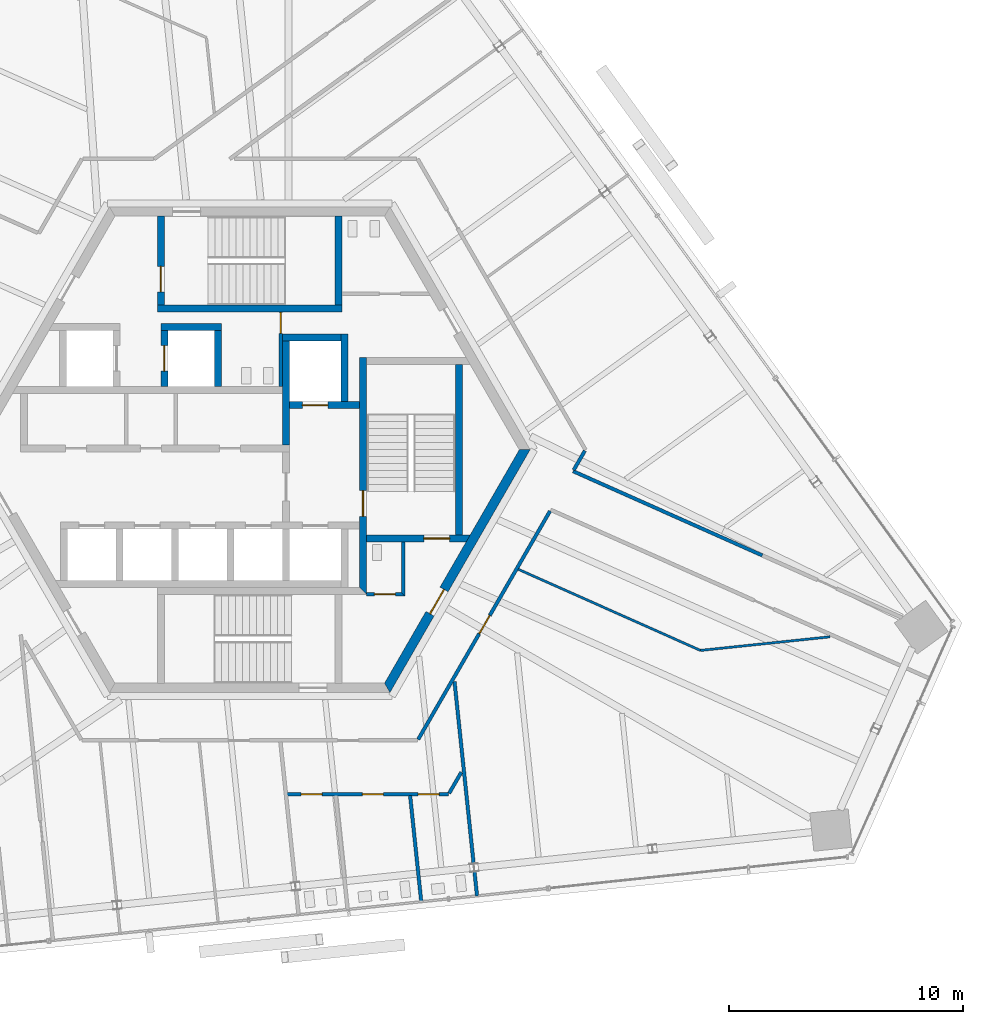
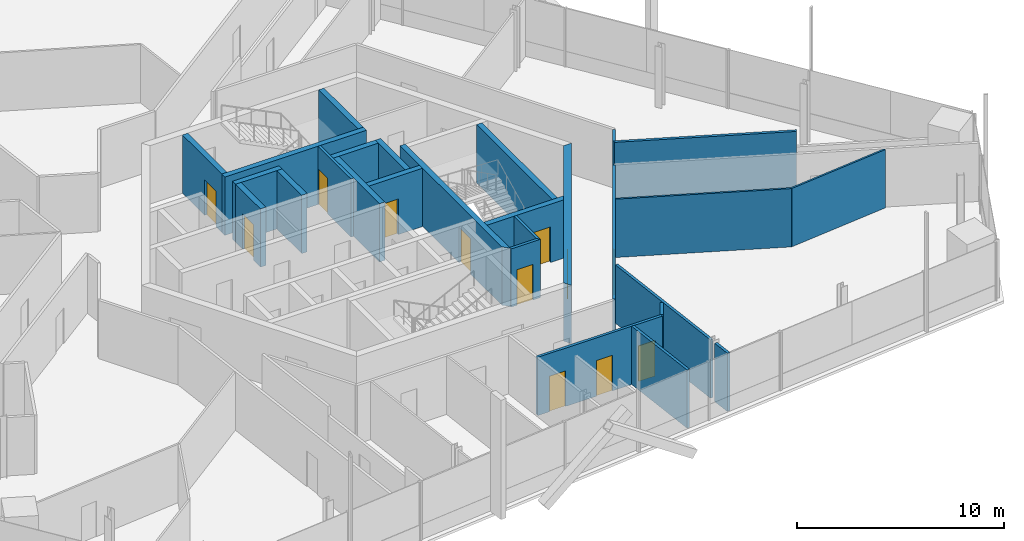
# One storey, part 12 of 20: 27 walls, 12 doors, 12 openings.
"""IFC4 building model written with IfcOpenShell, lengths in metres."""

from ifc_helpers import new_model, si_unit, direction, frame, frame_2d, origin, place, context, subcontext, project, spatial, polyline, rectangle, outline, extrude, source, transform, mapped, material, layer, layer_set, type_object, element, fill, save


model = new_model("IFC4")

# Units and contexts
model_context = context("Model", 3, precision=1e-05, world=origin(), true_north=direction((0.0, 1.0)))
body_context = subcontext(model_context, "Body", "Model", "MODEL_VIEW")
ifc_project = project(units=[si_unit("LENGTHUNIT", "METRE"), si_unit("AREAUNIT", "SQUARE_METRE"), si_unit("VOLUMEUNIT", "CUBIC_METRE"), si_unit("PLANEANGLEUNIT", "RADIAN"), si_unit("MASSUNIT", "GRAM", prefix="KILO")], contexts=[model_context])

# Site, building, storey
site_placement = place(None, origin())
site = spatial("IfcSite", under=ifc_project, at=site_placement, CompositionType="ELEMENT")
building_placement = place(site_placement, origin())
building = spatial("IfcBuilding", under=site, at=building_placement, Name="Triune Harvest Tower", CompositionType="ELEMENT")
storey_placement = place(building_placement, frame((0.0, 0.0, 234.10009765625)))
storey = spatial("IfcBuildingStorey", under=building, at=storey_placement, Name="L61", CompositionType="ELEMENT", Elevation=234.10009765625)

# Walls
ifc_material_1 = material(Name="Gypsum board on steel studs", Category="steel")
ifc_layer_1 = layer(ifc_material_1, 0.14990234375)
ifc_layer_set_1 = layer_set([ifc_layer_1], Name="Gypsum board on steel studs")
wall_type_1 = type_object("IfcWallType", Name="Fire Partition 150 mm", PredefinedType="PARTITIONING", material=ifc_layer_set_1)
wall_1_placement = place(storey_placement, frame((6.864501953125, -14.802001953125, 0.0), z_axis=(0.0, 0.0, 1.0), x_axis=(0.104501043988, -0.994524776869, 0.0)))
element("IfcWall", 1, at=wall_1_placement, inside=storey, type_object=wall_type_1, Name="Partition L61 013", PredefinedType="PARTITIONING", context=body_context, shape_type="SweptSolid", body=[
    extrude(rectangle(XDim=4.56494140625, YDim=0.14990234375, at=frame_2d((2.282470703125, 0.0))), origin(), (0.0, 0.0, 1.0), 3.43994140625),
])
wall_2_placement = place(storey_placement, frame((8.76513671875, -9.92626953125, 0.0), z_axis=(0.0, 0.0, 1.0), x_axis=(0.104520893393, -0.994522690965, 0.0)))
element("IfcWall", 2, at=wall_2_placement, inside=storey, type_object=wall_type_1, Name="Partition L61 014", PredefinedType="PARTITIONING", context=body_context, shape_type="SweptSolid", body=[
    extrude(rectangle(XDim=7.83203125, YDim=0.14990234375, at=frame_2d((3.916015625, 0.0))), origin(), (0.0, 0.0, 1.0), 3.43994140625),
])

# Wall, openings, doors
wall_3_placement = place(storey_placement, frame((1.549560546875, -14.7421875, 0.0), z_axis=(0.0, 0.0, 1.0), x_axis=(1.0, 0.0, 0.0)))
wall_3 = element("IfcWall", 3, at=wall_3_placement, inside=storey, type_object=wall_type_1, Name="Partition L61 031", PredefinedType="PARTITIONING", context=body_context, shape_type="SweptSolid", body=[
    extrude(rectangle(XDim=6.9619140625, YDim=0.14990234375, at=frame_2d((3.48095703125, 0.0))), origin(), (0.0, 0.0, 1.0), 3.43994140625),
])
opening_1_placement = place(wall_3_placement, frame((0.64990234375, 0.0, 0.0)))
opening_1 = element("IfcOpeningElement", 4, at=opening_1_placement, cuts=wall_3, Name="Opening L61-016", PredefinedType="OPENING", context=body_context, shape_type="SweptSolid", body=[
    extrude(rectangle(XDim=0.89990234375, YDim=2.10009765625, at=frame_2d((0.449951171875, 1.050048828125))), frame((0.0, 0.0849609375, 0.0), z_axis=(0.0, -1.0, 0.0), x_axis=(1.0, 0.0, 0.0)), (0.0, 0.0, 1.0), 0.169921875),
])
opening_2_placement = place(wall_3_placement, frame((3.2734375, 0.0, 0.0)))
opening_2 = element("IfcOpeningElement", 5, at=opening_2_placement, cuts=wall_3, Name="Opening L61-017", PredefinedType="OPENING", context=body_context, shape_type="SweptSolid", body=[
    extrude(rectangle(XDim=0.89990234375, YDim=2.10009765625, at=frame_2d((0.449951171875, 1.050048828125))), frame((0.0, 0.0849609375, 0.0), z_axis=(0.0, -1.0, 0.0), x_axis=(1.0, 0.0, 0.0)), (0.0, 0.0, 1.0), 0.169921875),
])
opening_3_placement = place(wall_3_placement, frame((5.65869140625, 0.0, 0.0)))
opening_3 = element("IfcOpeningElement", 6, at=opening_3_placement, cuts=wall_3, Name="Opening L61-018", PredefinedType="OPENING", context=body_context, shape_type="SweptSolid", body=[
    extrude(rectangle(XDim=0.89990234375, YDim=2.10009765625, at=frame_2d((0.449951171875, 1.050048828125))), frame((0.0, 0.0849609375, 0.0), z_axis=(0.0, -1.0, 0.0), x_axis=(1.0, 0.0, 0.0)), (0.0, 0.0, 1.0), 0.169921875),
])
ifc_material_2 = material(Name="Timber and steel door set", Category="steel")
door_type_1 = type_object("IfcDoorType", Name="Single leaf door FD30 left hand 900 x 2100", OperationType="SINGLE_SWING_LEFT", PredefinedType="DOOR", material=ifc_material_2)
door_1_placement = place(opening_2_placement, origin())
door_1 = element("IfcDoor", 7, at=door_1_placement, inside=storey, type_object=door_type_1, Name="Door L61-017 Men's WC 61.17", OperationType="SINGLE_SWING_LEFT", OverallHeight=2.10009765625, OverallWidth=0.89990234375, PredefinedType="DOOR", context=body_context, shape_type="SweptSolid", body=[
    extrude(rectangle(XDim=0.89990234375, YDim=2.10009765625, at=frame_2d((0.449951171875, 1.050048828125))), frame((0.0, 0.02490234375, 0.0), z_axis=(0.0, -1.0, 0.0), x_axis=(1.0, 0.0, 0.0)), (0.0, 0.0, 1.0), 0.050048828125),
])
fill(opening_2, door_1)
door_2_placement = place(opening_3_placement, origin())
door_2 = element("IfcDoor", 8, at=door_2_placement, inside=storey, type_object=door_type_1, Name="Door L61-018 Accessible WC 61.18", OperationType="SINGLE_SWING_LEFT", OverallHeight=2.10009765625, OverallWidth=0.89990234375, PredefinedType="DOOR", context=body_context, shape_type="SweptSolid", body=[
    extrude(rectangle(XDim=0.89990234375, YDim=2.10009765625, at=frame_2d((0.449951171875, 1.050048828125))), frame((0.0, 0.02490234375, 0.0), z_axis=(0.0, -1.0, 0.0), x_axis=(1.0, 0.0, 0.0)), (0.0, 0.0, 1.0), 0.050048828125),
])
fill(opening_3, door_2)
ifc_material_3 = material(Name="Timber and steel door set", Category="steel")
door_type_2 = type_object("IfcDoorType", Name="Single leaf door FD30 right hand 900 x 2100", OperationType="SINGLE_SWING_RIGHT", PredefinedType="DOOR", material=ifc_material_3)
door_3_placement = place(opening_1_placement, origin())
door_3 = element("IfcDoor", 9, at=door_3_placement, inside=storey, type_object=door_type_2, Name="Door L61-016 Women's WC 61.16", OperationType="SINGLE_SWING_RIGHT", OverallHeight=2.10009765625, OverallWidth=0.89990234375, PredefinedType="DOOR", context=body_context, shape_type="SweptSolid", body=[
    extrude(rectangle(XDim=0.89990234375, YDim=2.10009765625, at=frame_2d((0.449951171875, 1.050048828125))), frame((0.0, 0.02490234375, 0.0), z_axis=(0.0, -1.0, 0.0), x_axis=(1.0, 0.0, 0.0)), (0.0, 0.0, 1.0), 0.050048828125),
])
fill(opening_1, door_3)

# Wall
wall_4_placement = place(storey_placement, frame((8.53662109375, -14.698974609375, 0.0), z_axis=(0.0, 0.0, 1.0), x_axis=(0.499892553668, 0.866087429067, 0.0)))
element("IfcWall", 10, at=wall_4_placement, inside=storey, type_object=wall_type_1, Name="Partition L61 049", PredefinedType="PARTITIONING", context=body_context, shape_type="SweptSolid", body=[
    extrude(rectangle(XDim=1.035400390625, YDim=0.14990234375, at=frame_2d((0.517578125, 0.0))), origin(), (0.0, 0.0, 1.0), 3.43994140625),
])

# Wall, opening, door
ifc_material_4 = material(Name="Concrete 70 MPa", Category="concrete")
ifc_layer_2 = layer(ifc_material_4, 0.39990234375)
ifc_layer_set_2 = layer_set([ifc_layer_2], Name="Concrete 70 MPa")
wall_type_2 = type_object("IfcWallType", Name="Core wall 400", PredefinedType="SHEAR", material=ifc_layer_set_2)
shared_shape_1 = source(origin(), body_context, "Body", "SweptSolid", [
    extrude(outline(polyline([(-0.115478515625, -0.199951171875), (11.884521484375, -0.199951171875), (11.653564453125, 0.199951171875), (0.115478515625, 0.199951171875), (-0.115478515625, -0.199951171875)])), origin(), (0.0, 0.0, 1.0), 3.43994140625),
])
wall_5_placement = place(storey_placement, frame((5.884521484375, -10.1923828125, 0.0), z_axis=(0.0, 0.0, 1.0), x_axis=(0.499996592174, 0.866027371285, 0.0)))
wall_5 = element("IfcWall", 11, at=wall_5_placement, inside=storey, type_object=wall_type_2, Name="Hexagon 5 wall", PredefinedType="SHEAR", context=body_context, shape_type="MappedRepresentation", body=[
    mapped(shared_shape_1, transform((0.0, 0.0, 0.0), scale=1.0)),
])
opening_4_placement = place(wall_5_placement, frame((3.66455078125, 0.0, 0.0)))
opening_4 = element("IfcOpeningElement", 12, at=opening_4_placement, cuts=wall_5, Name="Opening CD-DP", PredefinedType="OPENING", context=body_context, shape_type="SweptSolid", body=[
    extrude(rectangle(XDim=1.199951171875, YDim=2.10009765625, at=frame_2d((0.60009765625, 1.050048828125))), frame((0.0, 0.2099609375, 0.0), z_axis=(0.0, -1.0, 0.0), x_axis=(1.0, 0.0, 0.0)), (0.0, 0.0, 1.0), 0.419921875),
])
ifc_material_5 = material(Name="Steel S235", Category="steel")
door_type_3 = type_object("IfcDoorType", Name="Stair door 1200 FD120", OperationType="SINGLE_SWING_LEFT", PredefinedType="DOOR", material=ifc_material_5)
door_4_placement = place(opening_4_placement, frame((1.199951171875, 0.0, 0.0), z_axis=(0.0, 0.0, 1.0), x_axis=(-1.0, 0.0, 0.0)))
door_4 = element("IfcDoor", 13, at=door_4_placement, inside=storey, type_object=door_type_3, Name="Door CD-DP", OperationType="SINGLE_SWING_RIGHT", OverallHeight=2.10009765625, OverallWidth=1.199951171875, PredefinedType="DOOR", context=body_context, shape_type="SweptSolid", body=[
    extrude(rectangle(XDim=1.199951171875, YDim=2.10009765625, at=frame_2d((0.60009765625, 1.050048828125))), frame((0.0, 0.02490234375, 0.0), z_axis=(0.0, -1.0, 0.0), x_axis=(1.0, 0.0, 0.0)), (0.0, 0.0, 1.0), 0.050048828125),
])
fill(opening_4, door_4)

# Walls
ifc_material_6 = material(Name="Concrete 70 MPa", Category="concrete")
ifc_layer_3 = layer(ifc_material_6, 0.300048828125)
ifc_layer_set_3 = layer_set([ifc_layer_3], Name="Concrete 70 MPa")
wall_type_3 = type_object("IfcWallType", Name="Core wall 300", PredefinedType="SHEAR", material=ifc_layer_set_3)
shared_shape_2 = source(origin(), body_context, "Body", "SweptSolid", [
    extrude(rectangle(XDim=2.5, YDim=0.300048828125, at=frame_2d((1.25, 0.0))), origin(), (0.0, 0.0, 1.0), 3.43994140625),
])
wall_6_placement = place(storey_placement, frame((1.39990234375, 4.81005859375, 0.0), z_axis=(0.0, 0.0, 1.0), x_axis=(1.0, 0.0, 0.0)))
element("IfcWall", 14, at=wall_6_placement, inside=storey, type_object=wall_type_3, Name="Ff1 back wall", PredefinedType="SHEAR", context=body_context, shape_type="MappedRepresentation", body=[
    mapped(shared_shape_2, transform((0.0, 0.0, 0.0), scale=1.0)),
])
shared_shape_3 = source(origin(), body_context, "Body", "SweptSolid", [
    extrude(rectangle(XDim=4.449951171875, YDim=0.300048828125, at=frame_2d((2.22509765625, 0.0))), origin(), (0.0, 0.0, 1.0), 3.43994140625),
])
wall_7_placement = place(storey_placement, frame((1.550048828125, 0.2099609375, 0.0), z_axis=(0.0, 0.0, 1.0), x_axis=(0.0, 1.0, 0.0)))
element("IfcWall", 15, at=wall_7_placement, inside=storey, type_object=wall_type_3, Name="Ff1 west wall", PredefinedType="SHEAR", context=body_context, shape_type="MappedRepresentation", body=[
    mapped(shared_shape_3, transform((0.0, 0.0, 0.0), scale=1.0)),
])

# Wall, opening, door
shared_shape_4 = source(origin(), body_context, "Body", "SweptSolid", [
    extrude(rectangle(XDim=3.0, YDim=0.300048828125, at=frame_2d((1.5, 0.0))), origin(), (0.0, 0.0, 1.0), 3.43994140625),
])
wall_8_placement = place(storey_placement, frame((1.699951171875, 1.909912109375, 0.0), z_axis=(0.0, 0.0, 1.0), x_axis=(1.0, 0.0, 0.0)))
wall_8 = element("IfcWall", 16, at=wall_8_placement, inside=storey, type_object=wall_type_3, Name="Ff1 front wall", PredefinedType="SHEAR", context=body_context, shape_type="MappedRepresentation", body=[
    mapped(shared_shape_4, transform((0.0, 0.0, 0.0), scale=1.0)),
])
opening_5_placement = place(wall_8_placement, frame((0.550048828125, 0.0, 0.0)))
opening_5 = element("IfcOpeningElement", 17, at=opening_5_placement, cuts=wall_8, Name="Opening LD-FF1-61", PredefinedType="OPENING", context=body_context, shape_type="SweptSolid", body=[
    extrude(rectangle(XDim=1.10009765625, YDim=2.10009765625, at=frame_2d((0.550048828125, 1.050048828125))), frame((0.0, 0.16015625, 0.0), z_axis=(0.0, -1.0, 0.0), x_axis=(1.0, 0.0, 0.0)), (0.0, 0.0, 1.0), 0.320068359375),
])
ifc_material_7 = material(Name="Stainless steel AISI 304", Category="steel")
door_type_4 = type_object("IfcDoorType", Name="Landing door 1100 x 2100", OperationType="DOUBLE_DOOR_SLIDING", PredefinedType="DOOR", material=ifc_material_7)
door_5_placement = place(opening_5_placement, origin())
door_5 = element("IfcDoor", 18, at=door_5_placement, inside=storey, type_object=door_type_4, Name="Door LD-FF1-61", OperationType="DOUBLE_DOOR_SLIDING", OverallHeight=2.10009765625, OverallWidth=1.10009765625, PredefinedType="DOOR", context=body_context, shape_type="SweptSolid", body=[
    extrude(rectangle(XDim=1.10009765625, YDim=2.10009765625, at=frame_2d((0.550048828125, 1.050048828125))), frame((0.0, 0.02490234375, 0.0), z_axis=(0.0, -1.0, 0.0), x_axis=(1.0, 0.0, 0.0)), (0.0, 0.0, 1.0), 0.050048828125),
])
fill(opening_5, door_5)

# Wall
shared_shape_5 = source(origin(), body_context, "Body", "SweptSolid", [
    extrude(rectangle(XDim=2.89990234375, YDim=0.300048828125, at=frame_2d((1.449951171875, 0.0))), origin(), (0.0, 0.0, 1.0), 3.43994140625),
])
wall_9_placement = place(storey_placement, frame((4.050048828125, 2.06005859375, 0.0), z_axis=(0.0, 0.0, 1.0), x_axis=(0.0, 1.0, 0.0)))
element("IfcWall", 19, at=wall_9_placement, inside=storey, type_object=wall_type_3, Name="Ff1 east wall", PredefinedType="SHEAR", context=body_context, shape_type="MappedRepresentation", body=[
    mapped(shared_shape_5, transform((0.0, 0.0, 0.0), scale=1.0)),
])

# Wall, opening, door
shared_shape_6 = source(origin(), body_context, "Body", "SweptSolid", [
    extrude(outline(polyline([(-0.14990234375, -0.14990234375), (9.989990234375, -0.14990234375), (9.989990234375, 0.14990234375), (0.14990234375, 0.14990234375), (-0.14990234375, -0.14990234375)])), origin(), (0.0, 0.0, 1.0), 3.43994140625),
])
wall_10_placement = place(storey_placement, frame((4.85009765625, -6.0400390625, 0.0), z_axis=(0.0, 0.0, 1.0), x_axis=(0.0, 1.0, 0.0)))
wall_10 = element("IfcWall", 20, at=wall_10_placement, inside=storey, type_object=wall_type_3, Name="Stair e west wall", PredefinedType="SHEAR", context=body_context, shape_type="MappedRepresentation", body=[
    mapped(shared_shape_6, transform((0.0, 0.0, 0.0), scale=1.0)),
])
opening_6_placement = place(wall_10_placement, frame((3.18994140625, 0.0, 0.0)))
opening_6 = element("IfcOpeningElement", 21, at=opening_6_placement, cuts=wall_10, Name="Opening CD-S3L", PredefinedType="OPENING", context=body_context, shape_type="SweptSolid", body=[
    extrude(rectangle(XDim=1.10009765625, YDim=2.10009765625, at=frame_2d((0.550048828125, 1.050048828125))), frame((0.0, 0.16015625, 0.0), z_axis=(0.0, -1.0, 0.0), x_axis=(1.0, 0.0, 0.0)), (0.0, 0.0, 1.0), 0.320068359375),
])
ifc_material_8 = material(Name="Steel S235", Category="steel")
door_type_5 = type_object("IfcDoorType", Name="Stair door 1100 FD120", OperationType="SINGLE_SWING_LEFT", PredefinedType="DOOR", material=ifc_material_8)
door_6_placement = place(opening_6_placement, frame((1.10009765625, 0.0, 0.0), z_axis=(0.0, 0.0, 1.0), x_axis=(-1.0, 0.0, 0.0)))
door_6 = element("IfcDoor", 22, at=door_6_placement, inside=storey, type_object=door_type_5, Name="Door CD-S3L", OperationType="SINGLE_SWING_RIGHT", OverallHeight=2.10009765625, OverallWidth=1.10009765625, PredefinedType="DOOR", context=body_context, shape_type="SweptSolid", body=[
    extrude(rectangle(XDim=1.10009765625, YDim=2.10009765625, at=frame_2d((0.550048828125, 1.050048828125))), frame((0.0, 0.02490234375, 0.0), z_axis=(0.0, -1.0, 0.0), x_axis=(1.0, 0.0, 0.0)), (0.0, 0.0, 1.0), 0.050048828125),
])
fill(opening_6, door_6)

shared_shape_7 = source(origin(), body_context, "Body", "SweptSolid", [
    extrude(outline(polyline([(0.0, -0.14990234375), (0.0, 0.14990234375), (4.43310546875, 0.14990234375), (4.260009765625, -0.14990234375), (0.0, -0.14990234375)])), origin(), (0.0, 0.0, 1.0), 3.43994140625),
])
wall_11_placement = place(storey_placement, frame((5.0, -3.800048828125, 0.0), z_axis=(0.0, 0.0, 1.0), x_axis=(1.0, 0.0, 0.0)))
wall_11 = element("IfcWall", 23, at=wall_11_placement, inside=storey, type_object=wall_type_3, Name="Stair e south wall", PredefinedType="SHEAR", context=body_context, shape_type="MappedRepresentation", body=[
    mapped(shared_shape_7, transform((0.0, 0.0, 0.0), scale=1.0)),
])
opening_7_placement = place(wall_11_placement, frame((2.449951171875, 0.0, 0.0)))
opening_7 = element("IfcOpeningElement", 24, at=opening_7_placement, cuts=wall_11, Name="Opening CD-S3D", PredefinedType="OPENING", context=body_context, shape_type="SweptSolid", body=[
    extrude(rectangle(XDim=1.10009765625, YDim=2.10009765625, at=frame_2d((0.550048828125, 1.050048828125))), frame((0.0, 0.16015625, 0.0), z_axis=(0.0, -1.0, 0.0), x_axis=(1.0, 0.0, 0.0)), (0.0, 0.0, 1.0), 0.320068359375),
])
door_7_placement = place(opening_7_placement, frame((1.10009765625, 0.0, 0.0), z_axis=(0.0, 0.0, 1.0), x_axis=(-1.0, 0.0, 0.0)))
door_7 = element("IfcDoor", 25, at=door_7_placement, inside=storey, type_object=door_type_5, Name="Door CD-S3D", OperationType="SINGLE_SWING_RIGHT", OverallHeight=2.10009765625, OverallWidth=1.10009765625, PredefinedType="DOOR", context=body_context, shape_type="SweptSolid", body=[
    extrude(rectangle(XDim=1.10009765625, YDim=2.10009765625, at=frame_2d((0.550048828125, 1.050048828125))), frame((0.0, 0.02490234375, 0.0), z_axis=(0.0, -1.0, 0.0), x_axis=(1.0, 0.0, 0.0)), (0.0, 0.0, 1.0), 0.050048828125),
])
fill(opening_7, door_7)

# Walls
shared_shape_8 = source(origin(), body_context, "Body", "SweptSolid", [
    extrude(rectangle(XDim=7.2998046875, YDim=0.300048828125, at=frame_2d((3.64990234375, 0.0))), origin(), (0.0, 0.0, 1.0), 3.43994140625),
])
wall_12_placement = place(storey_placement, frame((8.949951171875, -3.64990234375, 0.0), z_axis=(0.0, 0.0, 1.0), x_axis=(0.0, 1.0, 0.0)))
element("IfcWall", 26, at=wall_12_placement, inside=storey, type_object=wall_type_3, Name="Stair e east wall", PredefinedType="SHEAR", context=body_context, shape_type="MappedRepresentation", body=[
    mapped(shared_shape_8, transform((0.0, 0.0, 0.0), scale=1.0)),
])
shared_shape_9 = source(origin(), body_context, "Body", "SweptSolid", [
    extrude(rectangle(XDim=7.89990234375, YDim=0.300048828125, at=frame_2d((3.949951171875, 0.0))), origin(), (0.0, 0.0, 1.0), 3.43994140625),
])
wall_13_placement = place(storey_placement, frame((-3.949951171875, 6.0400390625, 0.0), z_axis=(0.0, 0.0, 1.0), x_axis=(1.0, 0.0, 0.0)))
element("IfcWall", 27, at=wall_13_placement, inside=storey, type_object=wall_type_3, Name="Stair n south wall", PredefinedType="SHEAR", context=body_context, shape_type="MappedRepresentation", body=[
    mapped(shared_shape_9, transform((0.0, 0.0, 0.0), scale=1.0)),
])

# Wall, opening, door
shared_shape_10 = source(origin(), body_context, "Body", "SweptSolid", [
    extrude(outline(polyline([(0.0, -0.14990234375), (0.0, 0.14990234375), (3.80419921875, 0.14990234375), (3.80419921875, -0.14990234375), (0.0, -0.14990234375)])), origin(), (0.0, 0.0, 1.0), 3.43994140625),
])
wall_14_placement = place(storey_placement, frame((-3.800048828125, 6.18994140625, 0.0), z_axis=(0.0, 0.0, 1.0), x_axis=(0.0, 1.0, 0.0)))
wall_14 = element("IfcWall", 28, at=wall_14_placement, inside=storey, type_object=wall_type_3, Name="Stair n west wall", PredefinedType="SHEAR", context=body_context, shape_type="MappedRepresentation", body=[
    mapped(shared_shape_10, transform((0.0, 0.0, 0.0), scale=1.0)),
])
opening_8_placement = place(wall_14_placement, frame((0.56005859375, 0.0, 0.0)))
opening_8 = element("IfcOpeningElement", 29, at=opening_8_placement, cuts=wall_14, Name="Opening CD-S1L", PredefinedType="OPENING", context=body_context, shape_type="SweptSolid", body=[
    extrude(rectangle(XDim=1.10009765625, YDim=2.10009765625, at=frame_2d((0.550048828125, 1.050048828125))), frame((0.0, 0.16015625, 0.0), z_axis=(0.0, -1.0, 0.0), x_axis=(1.0, 0.0, 0.0)), (0.0, 0.0, 1.0), 0.320068359375),
])
door_8_placement = place(opening_8_placement, frame((1.10009765625, 0.0, 0.0), z_axis=(0.0, 0.0, 1.0), x_axis=(-1.0, 0.0, 0.0)))
door_8 = element("IfcDoor", 30, at=door_8_placement, inside=storey, type_object=door_type_5, Name="Door CD-S1L", OperationType="SINGLE_SWING_RIGHT", OverallHeight=2.10009765625, OverallWidth=1.10009765625, PredefinedType="DOOR", context=body_context, shape_type="SweptSolid", body=[
    extrude(rectangle(XDim=1.10009765625, YDim=2.10009765625, at=frame_2d((0.550048828125, 1.050048828125))), frame((0.0, 0.02490234375, 0.0), z_axis=(0.0, -1.0, 0.0), x_axis=(1.0, 0.0, 0.0)), (0.0, 0.0, 1.0), 0.050048828125),
])
fill(opening_8, door_8)

# Wall
wall_15_placement = place(storey_placement, frame((3.800048828125, 6.18994140625, 0.0), z_axis=(0.0, 0.0, 1.0), x_axis=(0.0, 1.0, 0.0)))
element("IfcWall", 31, at=wall_15_placement, inside=storey, type_object=wall_type_3, Name="Stair n east wall", PredefinedType="SHEAR", context=body_context, shape_type="MappedRepresentation", body=[
    mapped(shared_shape_10, transform((0.0, 0.0, 0.0), scale=1.0)),
])

# Wall, opening, door
shared_shape_11 = source(origin(), body_context, "Body", "SweptSolid", [
    extrude(rectangle(XDim=2.400146484375, YDim=0.300048828125, at=frame_2d((1.2001953125, 0.0))), origin(), (0.0, 0.0, 1.0), 3.43994140625),
])
wall_16_placement = place(storey_placement, frame((-3.64990234375, 2.7099609375, 0.0), z_axis=(0.0, 0.0, 1.0), x_axis=(0.0, 1.0, 0.0)))
wall_16 = element("IfcWall", 32, at=wall_16_placement, inside=storey, type_object=wall_type_3, Name="Sv2 west wall", PredefinedType="SHEAR", context=body_context, shape_type="MappedRepresentation", body=[
    mapped(shared_shape_11, transform((0.0, 0.0, 0.0), scale=1.0)),
])
opening_9_placement = place(wall_16_placement, frame((0.64990234375, 0.0, 0.0)))
opening_9 = element("IfcOpeningElement", 33, at=opening_9_placement, cuts=wall_16, Name="Opening LD-SV2-61", PredefinedType="OPENING", context=body_context, shape_type="SweptSolid", body=[
    extrude(rectangle(XDim=1.10009765625, YDim=2.10009765625, at=frame_2d((0.550048828125, 1.050048828125))), frame((0.0, 0.16015625, 0.0), z_axis=(0.0, -1.0, 0.0), x_axis=(1.0, 0.0, 0.0)), (0.0, 0.0, 1.0), 0.320068359375),
])
door_9_placement = place(opening_9_placement, origin())
door_9 = element("IfcDoor", 34, at=door_9_placement, inside=storey, type_object=door_type_4, Name="Door LD-SV2-61", OperationType="DOUBLE_DOOR_SLIDING", OverallHeight=2.10009765625, OverallWidth=1.10009765625, PredefinedType="DOOR", context=body_context, shape_type="SweptSolid", body=[
    extrude(rectangle(XDim=1.10009765625, YDim=2.10009765625, at=frame_2d((0.550048828125, 1.050048828125))), frame((0.0, 0.02490234375, 0.0), z_axis=(0.0, -1.0, 0.0), x_axis=(1.0, 0.0, 0.0)), (0.0, 0.0, 1.0), 0.050048828125),
])
fill(opening_9, door_9)

# Walls
wall_17_placement = place(storey_placement, frame((-1.35009765625, 2.7099609375, 0.0), z_axis=(0.0, 0.0, 1.0), x_axis=(0.0, 1.0, 0.0)))
element("IfcWall", 35, at=wall_17_placement, inside=storey, type_object=wall_type_3, Name="Sv2 east wall", PredefinedType="SHEAR", context=body_context, shape_type="MappedRepresentation", body=[
    mapped(shared_shape_11, transform((0.0, 0.0, 0.0), scale=1.0)),
])
shared_shape_12 = source(origin(), body_context, "Body", "SweptSolid", [
    extrude(rectangle(XDim=2.60009765625, YDim=0.300048828125, at=frame_2d((1.300048828125, 0.0))), origin(), (0.0, 0.0, 1.0), 3.43994140625),
])
wall_18_placement = place(storey_placement, frame((-3.800048828125, 5.260009765625, 0.0), z_axis=(0.0, 0.0, 1.0), x_axis=(1.0, 0.0, 0.0)))
element("IfcWall", 36, at=wall_18_placement, inside=storey, type_object=wall_type_3, Name="Sv2 north wall", PredefinedType="SHEAR", context=body_context, shape_type="MappedRepresentation", body=[
    mapped(shared_shape_12, transform((0.0, 0.0, 0.0), scale=1.0)),
])

# Wall, opening, door
ifc_material_9 = material(Name="Concrete masonry unit", Category="masonry")
ifc_layer_4 = layer(ifc_material_9, 0.14990234375)
ifc_layer_set_4 = layer_set([ifc_layer_4], Name="Concrete masonry unit")
wall_type_4 = type_object("IfcWallType", Name="Block partition 150 unrated", PredefinedType="PARTITIONING", material=ifc_layer_set_4)
shared_shape_13 = source(origin(), body_context, "Body", "SweptSolid", [
    extrude(rectangle(XDim=3.179931640625, YDim=0.14990234375, at=frame_2d((1.58984375, 0.0))), origin(), (0.0, 0.0, 1.0), 3.43994140625),
])
wall_19_placement = place(storey_placement, frame((1.324951171875, 2.7099609375, 0.0), z_axis=(0.0, 0.0, 1.0), x_axis=(0.0, 1.0, 0.0)))
wall_19 = element("IfcWall", 37, at=wall_19_placement, inside=storey, type_object=wall_type_4, Name="Wc men east wall", PredefinedType="PARTITIONING", context=body_context, shape_type="MappedRepresentation", body=[
    mapped(shared_shape_13, transform((0.0, 0.0, 0.0), scale=1.0)),
])
opening_10_placement = place(wall_19_placement, frame((2.264892578125, 0.0, 0.0)))
opening_10 = element("IfcOpeningElement", 38, at=opening_10_placement, cuts=wall_19, Name="Opening CD-WM", PredefinedType="OPENING", context=body_context, shape_type="SweptSolid", body=[
    extrude(rectangle(XDim=0.89990234375, YDim=2.10009765625, at=frame_2d((0.449951171875, 1.050048828125))), frame((0.0, 0.0849609375, 0.0), z_axis=(0.0, -1.0, 0.0), x_axis=(1.0, 0.0, 0.0)), (0.0, 0.0, 1.0), 0.169921875),
])
ifc_material_10 = material(Name="Timber C24", Category="wood")
door_type_6 = type_object("IfcDoorType", Name="WC door 900", OperationType="SINGLE_SWING_LEFT", PredefinedType="DOOR", material=ifc_material_10)
door_10_placement = place(opening_10_placement, origin())
door_10 = element("IfcDoor", 39, at=door_10_placement, inside=storey, type_object=door_type_6, Name="Door CD-WM", OperationType="SINGLE_SWING_LEFT", OverallHeight=2.10009765625, OverallWidth=0.89990234375, PredefinedType="DOOR", context=body_context, shape_type="SweptSolid", body=[
    extrude(rectangle(XDim=0.89990234375, YDim=2.10009765625, at=frame_2d((0.449951171875, 1.050048828125))), frame((0.0, 0.02490234375, 0.0), z_axis=(0.0, -1.0, 0.0), x_axis=(1.0, 0.0, 0.0)), (0.0, 0.0, 1.0), 0.050048828125),
])
fill(opening_10, door_10)

shared_shape_14 = source(origin(), body_context, "Body", "SweptSolid", [
    extrude(outline(polyline([(0.0, -0.074951171875), (1.64990234375, -0.074951171875), (1.5, 0.074951171875), (0.0, 0.074951171875), (0.0, -0.074951171875)])), origin(), (0.0, 0.0, 1.0), 3.43994140625),
])
wall_20_placement = place(storey_placement, frame((5.0, -6.18994140625, 0.0), z_axis=(0.0, 0.0, 1.0), x_axis=(1.0, 0.0, 0.0)))
wall_20 = element("IfcWall", 40, at=wall_20_placement, inside=storey, type_object=wall_type_4, Name="Wc acc south wall", PredefinedType="PARTITIONING", context=body_context, shape_type="MappedRepresentation", body=[
    mapped(shared_shape_14, transform((0.0, 0.0, 0.0), scale=1.0)),
])
opening_11_placement = place(wall_20_placement, frame((0.33740234375, 0.0, 0.0)))
opening_11 = element("IfcOpeningElement", 41, at=opening_11_placement, cuts=wall_20, Name="Opening CD-WA", PredefinedType="OPENING", context=body_context, shape_type="SweptSolid", body=[
    extrude(rectangle(XDim=0.89990234375, YDim=2.10009765625, at=frame_2d((0.449951171875, 1.050048828125))), frame((0.0, 0.0849609375, 0.0), z_axis=(0.0, -1.0, 0.0), x_axis=(1.0, 0.0, 0.0)), (0.0, 0.0, 1.0), 0.169921875),
])
door_11_placement = place(opening_11_placement, origin())
door_11 = element("IfcDoor", 42, at=door_11_placement, inside=storey, type_object=door_type_6, Name="Door CD-WA", OperationType="SINGLE_SWING_LEFT", OverallHeight=2.10009765625, OverallWidth=0.89990234375, PredefinedType="DOOR", context=body_context, shape_type="SweptSolid", body=[
    extrude(rectangle(XDim=0.89990234375, YDim=2.10009765625, at=frame_2d((0.449951171875, 1.050048828125))), frame((0.0, 0.02490234375, 0.0), z_axis=(0.0, -1.0, 0.0), x_axis=(1.0, 0.0, 0.0)), (0.0, 0.0, 1.0), 0.050048828125),
])
fill(opening_11, door_11)

# Walls
shared_shape_15 = source(origin(), body_context, "Body", "SweptSolid", [
    extrude(outline(polyline([(-0.074951171875, -0.074951171875), (2.239990234375, -0.074951171875), (2.239990234375, 0.074951171875), (0.074951171875, 0.074951171875), (-0.074951171875, -0.074951171875)])), origin(), (0.0, 0.0, 1.0), 3.43994140625),
])
wall_21_placement = place(storey_placement, frame((6.574951171875, -6.18994140625, 0.0), z_axis=(0.0, 0.0, 1.0), x_axis=(0.0, 1.0, 0.0)))
element("IfcWall", 43, at=wall_21_placement, inside=storey, type_object=wall_type_4, Name="Wc acc east wall", PredefinedType="PARTITIONING", context=body_context, shape_type="MappedRepresentation", body=[
    mapped(shared_shape_15, transform((0.0, 0.0, 0.0), scale=1.0)),
])
shared_shape_16 = source(origin(), body_context, "Body", "SweptSolid", [
    extrude(rectangle(XDim=1.0478515625, YDim=0.14990234375, at=frame_2d((0.52392578125, 0.0))), origin(), (0.0, 0.0, 1.0), 3.43994140625),
])
wall_22_placement = place(storey_placement, frame((9.618896484375, -18.04931640625, 0.0), z_axis=(0.0, 0.0, 1.0), x_axis=(0.104624136351, -0.994511835069, 0.0)))
element("IfcWall", 44, at=wall_22_placement, inside=storey, type_object=wall_type_1, Name="Partition L61 015", PredefinedType="PARTITIONING", context=body_context, shape_type="MappedRepresentation", body=[
    mapped(shared_shape_16, transform((0.0, 0.0, 0.0), scale=1.0)),
])
ifc_material_11 = material(Name="Gypsum board on steel studs", Category="steel")
ifc_layer_5 = layer(ifc_material_11, 0.10009765625)
ifc_layer_set_5 = layer_set([ifc_layer_5], Name="Gypsum board on steel studs")
wall_type_5 = type_object("IfcWallType", Name="Partition 100 mm", PredefinedType="PARTITIONING", material=ifc_layer_set_5)
shared_shape_17 = source(origin(), body_context, "Body", "SweptSolid", [
    extrude(rectangle(XDim=8.544921875, YDim=0.10009765625, at=frame_2d((4.2724609375, 0.0))), origin(), (0.0, 0.0, 1.0), 3.43994140625),
])
wall_23_placement = place(storey_placement, frame((11.48388671875, -5.113037109375, 0.0), z_axis=(0.0, 0.0, 1.0), x_axis=(0.913553334727, -0.406718950392, 0.0)))
element("IfcWall", 45, at=wall_23_placement, inside=storey, type_object=wall_type_5, Name="Partition L61 024", PredefinedType="PARTITIONING", context=body_context, shape_type="MappedRepresentation", body=[
    mapped(shared_shape_17, transform((0.0, 0.0, 0.0), scale=1.0)),
])
shared_shape_18 = source(origin(), body_context, "Body", "SweptSolid", [
    extrude(rectangle(XDim=8.864501953125, YDim=0.14990234375, at=frame_2d((4.43212890625, 0.0))), origin(), (0.0, 0.0, 1.0), 3.43994140625),
])
wall_24_placement = place(storey_placement, frame((13.837158203125, -0.917724609375, 0.0), z_axis=(0.0, 0.0, 1.0), x_axis=(0.913547867559, -0.406731230272, 0.0)))
element("IfcWall", 46, at=wall_24_placement, inside=storey, type_object=wall_type_1, Name="Partition L61 028", PredefinedType="PARTITIONING", context=body_context, shape_type="MappedRepresentation", body=[
    mapped(shared_shape_18, transform((0.0, 0.0, 0.0), scale=1.0)),
])
shared_shape_19 = source(origin(), body_context, "Body", "SweptSolid", [
    extrude(rectangle(XDim=5.579345703125, YDim=0.10009765625, at=frame_2d((2.78955078125, 0.0))), origin(), (0.0, 0.0, 1.0), 3.43994140625),
])
wall_25_placement = place(storey_placement, frame((19.2900390625, -8.58837890625, 0.0), z_axis=(0.0, 0.0, 1.0), x_axis=(0.994525575058, 0.104493447432, 0.0)))
element("IfcWall", 47, at=wall_25_placement, inside=storey, type_object=wall_type_5, Name="Partition L61 037", PredefinedType="PARTITIONING", context=body_context, shape_type="MappedRepresentation", body=[
    mapped(shared_shape_19, transform((0.0, 0.0, 0.0), scale=1.0)),
])

# Wall, opening, door
shared_shape_20 = source(origin(), body_context, "Body", "SweptSolid", [
    extrude(rectangle(XDim=11.287353515625, YDim=0.14990234375, at=frame_2d((5.6435546875, 0.0))), origin(), (0.0, 0.0, 1.0), 3.43994140625),
])
wall_26_placement = place(storey_placement, frame((7.20849609375, -12.399169921875, 0.0), z_axis=(0.0, 0.0, 1.0), x_axis=(0.499991443904, 0.866030343592, 0.0)))
wall_26 = element("IfcWall", 48, at=wall_26_placement, inside=storey, type_object=wall_type_1, Name="Partition L61 050", PredefinedType="PARTITIONING", context=body_context, shape_type="MappedRepresentation", body=[
    mapped(shared_shape_20, transform((0.0, 0.0, 0.0), scale=1.0)),
])
opening_12_placement = place(wall_26_placement, frame((5.223388671875, 0.0, 0.0)))
opening_12 = element("IfcOpeningElement", 49, at=opening_12_placement, cuts=wall_26, Name="Opening L61-019", PredefinedType="OPENING", context=body_context, shape_type="SweptSolid", body=[
    extrude(rectangle(XDim=0.89990234375, YDim=2.10009765625, at=frame_2d((0.449951171875, 1.050048828125))), frame((0.0, 0.0849609375, 0.0), z_axis=(0.0, -1.0, 0.0), x_axis=(1.0, 0.0, 0.0)), (0.0, 0.0, 1.0), 0.169921875),
])
door_12_placement = place(opening_12_placement, origin())
door_12 = element("IfcDoor", 50, at=door_12_placement, inside=storey, type_object=door_type_1, Name="Door L61-019 Office 61.19", OperationType="SINGLE_SWING_LEFT", OverallHeight=2.10009765625, OverallWidth=0.89990234375, PredefinedType="DOOR", context=body_context, shape_type="SweptSolid", body=[
    extrude(rectangle(XDim=0.89990234375, YDim=2.10009765625, at=frame_2d((0.449951171875, 1.050048828125))), frame((0.0, 0.02490234375, 0.0), z_axis=(0.0, -1.0, 0.0), x_axis=(1.0, 0.0, 0.0)), (0.0, 0.0, 1.0), 0.050048828125),
])
fill(opening_12, door_12)

# Wall
shared_shape_21 = source(origin(), body_context, "Body", "SweptSolid", [
    extrude(rectangle(XDim=0.94970703125, YDim=0.14990234375, at=frame_2d((0.474853515625, 0.0))), origin(), (0.0, 0.0, 1.0), 3.43994140625),
])
wall_27_placement = place(storey_placement, frame((13.8671875, -0.865966796875, 0.0), z_axis=(0.0, 0.0, 1.0), x_axis=(0.499982058975, 0.866035761792, 0.0)))
element("IfcWall", 51, at=wall_27_placement, inside=storey, type_object=wall_type_1, Name="Partition L61 051", PredefinedType="PARTITIONING", context=body_context, shape_type="MappedRepresentation", body=[
    mapped(shared_shape_21, transform((0.0, 0.0, 0.0), scale=1.0)),
])

save(model, "model.ifc")
